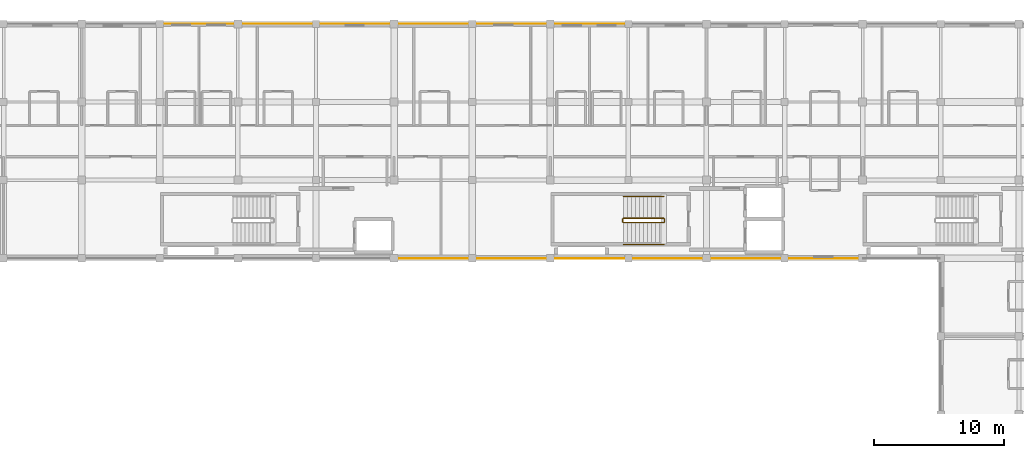
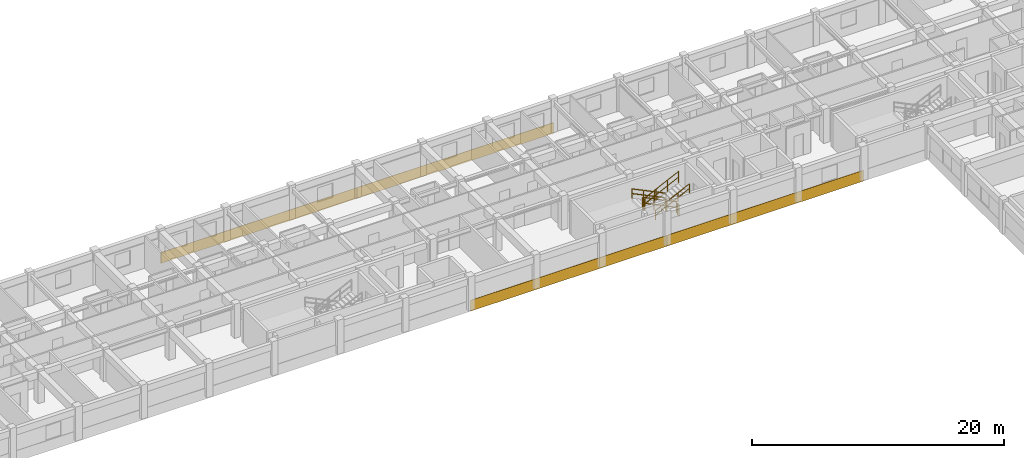
# One storey, part 20 of 21: 6 railings, 4 coverings.
"""IFC4 building model written with IfcOpenShell, lengths in metres."""

from ifc_helpers import new_model, si_unit, direction, frame, origin, origin_2d, place, context, subcontext, project, spatial, polyline, circle, outline, extrude, material, layer, layer_set, type_object, element, save


model = new_model("IFC4")

# Units and contexts
model_context = context("Model", 3, precision=1e-05, world=origin(), true_north=direction((0.0, 1.0)))
body_context = subcontext(model_context, "Body", "Model", "MODEL_VIEW")
ifc_project = project(units=[si_unit("LENGTHUNIT", "METRE"), si_unit("AREAUNIT", "SQUARE_METRE"), si_unit("VOLUMEUNIT", "CUBIC_METRE"), si_unit("PLANEANGLEUNIT", "RADIAN"), si_unit("MASSUNIT", "GRAM", prefix="KILO"), si_unit("THERMODYNAMICTEMPERATUREUNIT", "KELVIN"), si_unit("POWERUNIT", "WATT")], contexts=[model_context])

# Site, building, storey
site_placement = place(None, origin())
site = spatial("IfcSite", under=ifc_project, at=site_placement, CompositionType="ELEMENT")
building_placement = place(site_placement, origin())
building = spatial("IfcBuilding", under=site, at=building_placement, Name="Phaisarnlok Congress Hotel", CompositionType="ELEMENT")
storey_placement = place(building_placement, frame((0.0, 0.0, 31.5)))
storey = spatial("IfcBuildingStorey", under=building, at=storey_placement, Name="L07", CompositionType="ELEMENT", Elevation=31.5)

# Coverings
ifc_material_1 = material(Name="Anodised Silver Aluminium Alloy 6063-T6", Category="aluminium")
ifc_layer = layer(ifc_material_1, 0.031982421875, Name="Anodised Silver Aluminium Alloy 6063-T6")
ifc_layer_set = layer_set([ifc_layer], Name="Anodised Silver Aluminium Alloy 6063-T6")
covering_type = type_object("IfcCoveringType", Name="COV-SPAND-ALU", PredefinedType="CLADDING", material=ifc_layer_set)
for number, where, z_axis, x_axis, name in (
    (1, (120.06005859375, 125.9951171875, -0.280029296875), (0.0, 1.0, 0.0), (-1.0, 0.0, 0.0), "Swiss minimalist anodised silver rainscreen band CL-02 (L07 N)"),
    (2, (138.06005859375, 125.9951171875, -0.280029296875), (0.0, 1.0, 0.0), (-1.0, 0.0, 0.0), "Swiss minimalist anodised silver rainscreen band CL-02 (L07 N)"),
    (3, (120.06005859375, 108.0048828125, -0.280029296875), (0.0, -1.0, 0.0), (1.0, 0.0, 0.0), "Swiss minimalist anodised silver rainscreen band CL-02 (L07 S)"),
    (4, (138.06005859375, 108.0048828125, -0.280029296875), (0.0, -1.0, 0.0), (1.0, 0.0, 0.0), "Swiss minimalist anodised silver rainscreen band CL-02 (L07 S)"),
):
    element("IfcCovering", number, at=place(storey_placement, frame(where, z_axis=z_axis, x_axis=x_axis)), inside=storey, type_object=covering_type, Name=name, PredefinedType="CLADDING", context=body_context, shape_type="SweptSolid", body=[
        extrude(outline(polyline([(0.0, 0.0), (18.0, 0.0), (18.0, 1.050048828125), (0.0, 1.050048828125), (0.0, 0.0)])), origin(), (0.0, 0.0, 1.0), 0.031982421875),
    ])

# Railings
ifc_material_2 = material(Name="Painted Galvanised Steel S275", Category="steel")
railing_type_1 = type_object("IfcRailingType", Name="RLG-STR-GUARD", PredefinedType="BALUSTRADE", material=ifc_material_2)
railing_1_placement = place(storey_placement, frame((140.719970703125, 111.070068359375, 0.14990234375)))
element("IfcRailing", 5, at=railing_1_placement, inside=storey, type_object=railing_type_1, Name="L07 ST-06 stair guard 1", PredefinedType="BALUSTRADE", context=body_context, shape_type="SweptSolid", body=[
    extrude(circle(Radius=0.02392578125, at=origin_2d()), frame((0.0, 0.0, 1.076171875), z_axis=(-0.900151181449, 0.0, 0.435577605641), x_axis=(0.0, -1.0, 0.0)), (0.0, 0.0, 1.0), 3.443603515625),
    extrude(circle(Radius=0.02392578125, at=origin_2d()), frame((0.0, 0.0, 0.52587890625), z_axis=(-0.900151181449, 0.0, 0.435577605641), x_axis=(0.0, -1.0, 0.0)), (0.0, 0.0, 1.0), 3.443603515625),
    extrude(circle(Radius=0.02099609375, at=origin_2d()), origin(), (0.0, 0.0, 1.0), 1.052001953125),
    extrude(circle(Radius=0.02099609375, at=origin_2d()), frame((-1.033203125, 0.0, 0.5)), (0.0, 0.0, 1.0), 1.052001953125),
    extrude(circle(Radius=0.02099609375, at=origin_2d()), frame((-2.066650390625, 0.0, 1.0)), (0.0, 0.0, 1.0), 1.052001953125),
    extrude(circle(Radius=0.02099609375, at=origin_2d()), frame((-3.099853515625, 0.0, 1.5)), (0.0, 0.0, 1.0), 1.052001953125),
])
railing_2_placement = place(storey_placement, frame((137.570068359375, 111.02001953125, 1.64990234375)))
element("IfcRailing", 6, at=railing_2_placement, inside=storey, type_object=railing_type_1, Name="L07 ST-06 stair guard 2", PredefinedType="BALUSTRADE", context=body_context, shape_type="SweptSolid", body=[
    extrude(circle(Radius=0.02392578125, at=origin_2d()), frame((0.0, 0.0, 1.076171875), z_axis=(0.0, -1.0, 0.0), x_axis=(1.0, 0.0, 0.0)), (0.0, 0.0, 1.0), 0.239990234375),
    extrude(circle(Radius=0.02392578125, at=origin_2d()), frame((0.0, 0.0, 0.52587890625), z_axis=(0.0, -1.0, 0.0), x_axis=(1.0, 0.0, 0.0)), (0.0, 0.0, 1.0), 0.239990234375),
    extrude(circle(Radius=0.02099609375, at=origin_2d()), origin(), (0.0, 0.0, 1.0), 1.052001953125),
    extrude(circle(Radius=0.02099609375, at=origin_2d()), frame((0.0, -0.239990234375, 0.0)), (0.0, 0.0, 1.0), 1.052001953125),
])
railing_3_placement = place(storey_placement, frame((137.6201171875, 110.72998046875, 1.800048828125)))
element("IfcRailing", 7, at=railing_3_placement, inside=storey, type_object=railing_type_1, Name="L07 ST-06 stair guard 3", PredefinedType="BALUSTRADE", context=body_context, shape_type="SweptSolid", body=[
    extrude(circle(Radius=0.02392578125, at=origin_2d()), frame((0.0, 0.0, 1.076171875), z_axis=(0.900151181449, 0.0, 0.435577605641), x_axis=(0.0, 1.0, 0.0)), (0.0, 0.0, 1.0), 3.443603515625),
    extrude(circle(Radius=0.02392578125, at=origin_2d()), frame((0.0, 0.0, 0.52587890625), z_axis=(0.900151181449, 0.0, 0.435577605641), x_axis=(0.0, 1.0, 0.0)), (0.0, 0.0, 1.0), 3.443603515625),
    extrude(circle(Radius=0.02099609375, at=origin_2d()), origin(), (0.0, 0.0, 1.0), 1.052001953125),
    extrude(circle(Radius=0.02099609375, at=origin_2d()), frame((1.033203125, 0.0, 0.5)), (0.0, 0.0, 1.0), 1.052001953125),
    extrude(circle(Radius=0.02099609375, at=origin_2d()), frame((2.066650390625, 0.0, 1.0)), (0.0, 0.0, 1.0), 1.052001953125),
    extrude(circle(Radius=0.02099609375, at=origin_2d()), frame((3.099853515625, 0.0, 1.5)), (0.0, 0.0, 1.0), 1.052001953125),
])
railing_4_placement = place(storey_placement, frame((140.77001953125, 111.02001953125, 0.0)))
element("IfcRailing", 8, at=railing_4_placement, inside=storey, type_object=railing_type_1, Name="L07 ST-06 stair guard 4", PredefinedType="BALUSTRADE", context=body_context, shape_type="SweptSolid", body=[
    extrude(circle(Radius=0.02392578125, at=origin_2d()), frame((0.0, 0.0, 1.076171875), z_axis=(0.0, -1.0, 0.0), x_axis=(1.0, 0.0, 0.0)), (0.0, 0.0, 1.0), 0.239990234375),
    extrude(circle(Radius=0.02392578125, at=origin_2d()), frame((0.0, 0.0, 0.52587890625), z_axis=(0.0, -1.0, 0.0), x_axis=(1.0, 0.0, 0.0)), (0.0, 0.0, 1.0), 0.239990234375),
    extrude(circle(Radius=0.02099609375, at=origin_2d()), origin(), (0.0, 0.0, 1.0), 1.052001953125),
    extrude(circle(Radius=0.02099609375, at=origin_2d()), frame((0.0, -0.239990234375, 0.0)), (0.0, 0.0, 1.0), 1.052001953125),
])
ifc_material_3 = material(Name="Brushed Stainless Steel Grade 304", Category="steel")
railing_type_2 = type_object("IfcRailingType", Name="RLG-STR-HRAIL", PredefinedType="HANDRAIL", material=ifc_material_3)
railing_5_placement = place(storey_placement, frame((140.719970703125, 112.75, 0.14990234375)))
element("IfcRailing", 9, at=railing_5_placement, inside=storey, type_object=railing_type_2, Name="L07 ST-06 stair handrail 1", PredefinedType="HANDRAIL", context=body_context, shape_type="SweptSolid", body=[
    extrude(circle(Radius=0.02392578125, at=origin_2d()), frame((0.0, 0.0, 0.8759765625), z_axis=(-0.900151181449, 0.0, 0.435577605641), x_axis=(0.0, -1.0, 0.0)), (0.0, 0.0, 1.0), 3.443603515625),
    extrude(circle(Radius=0.02392578125, at=origin_2d()), frame((0.0, 0.0, 0.42578125), z_axis=(-0.900151181449, 0.0, 0.435577605641), x_axis=(0.0, -1.0, 0.0)), (0.0, 0.0, 1.0), 3.443603515625),
    extrude(circle(Radius=0.02099609375, at=origin_2d()), origin(), (0.0, 0.0, 1.0), 0.851806640625),
    extrude(circle(Radius=0.02099609375, at=origin_2d()), frame((-1.033203125, 0.0, 0.5)), (0.0, 0.0, 1.0), 0.851806640625),
    extrude(circle(Radius=0.02099609375, at=origin_2d()), frame((-2.066650390625, 0.0, 1.0)), (0.0, 0.0, 1.0), 0.851806640625),
    extrude(circle(Radius=0.02099609375, at=origin_2d()), frame((-3.099853515625, 0.0, 1.5)), (0.0, 0.0, 1.0), 0.851806640625),
])
railing_6_placement = place(storey_placement, frame((137.6201171875, 109.050048828125, 1.800048828125)))
element("IfcRailing", 10, at=railing_6_placement, inside=storey, type_object=railing_type_2, Name="L07 ST-06 stair handrail 2", PredefinedType="HANDRAIL", context=body_context, shape_type="SweptSolid", body=[
    extrude(circle(Radius=0.02392578125, at=origin_2d()), frame((0.0, 0.0, 0.8759765625), z_axis=(0.900151181449, 0.0, 0.435577605641), x_axis=(0.0, 1.0, 0.0)), (0.0, 0.0, 1.0), 3.443603515625),
    extrude(circle(Radius=0.02392578125, at=origin_2d()), frame((0.0, 0.0, 0.42578125), z_axis=(0.900151181449, 0.0, 0.435577605641), x_axis=(0.0, 1.0, 0.0)), (0.0, 0.0, 1.0), 3.443603515625),
    extrude(circle(Radius=0.02099609375, at=origin_2d()), origin(), (0.0, 0.0, 1.0), 0.851806640625),
    extrude(circle(Radius=0.02099609375, at=origin_2d()), frame((1.033203125, 0.0, 0.5)), (0.0, 0.0, 1.0), 0.851806640625),
    extrude(circle(Radius=0.02099609375, at=origin_2d()), frame((2.066650390625, 0.0, 1.0)), (0.0, 0.0, 1.0), 0.851806640625),
    extrude(circle(Radius=0.02099609375, at=origin_2d()), frame((3.099853515625, 0.0, 1.5)), (0.0, 0.0, 1.0), 0.851806640625),
])

save(model, "model.ifc")
